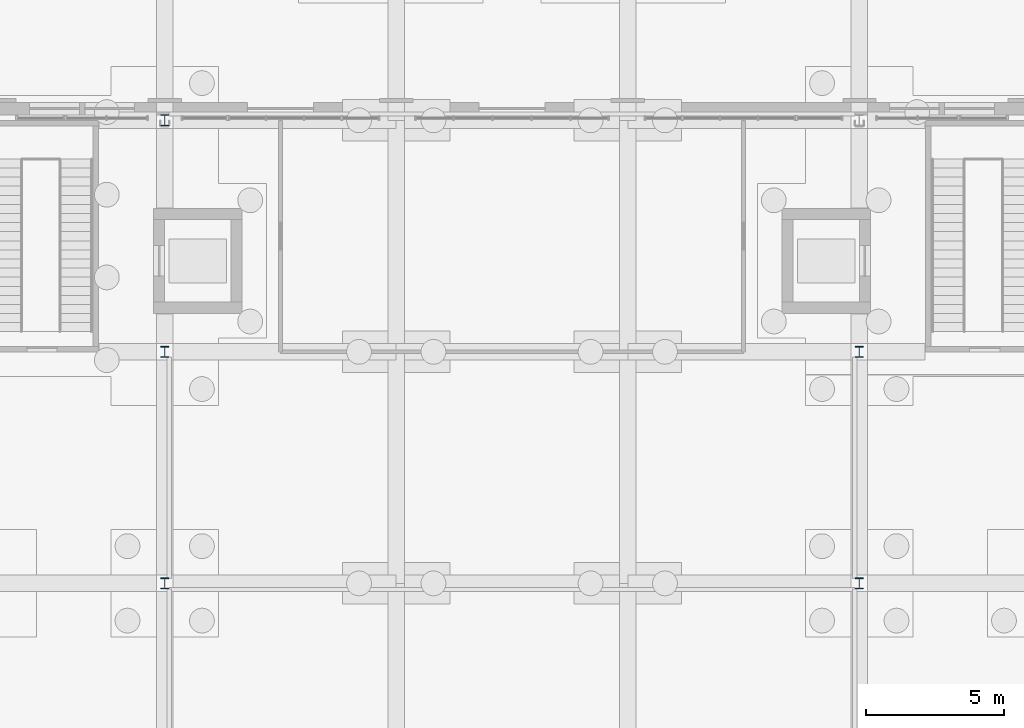
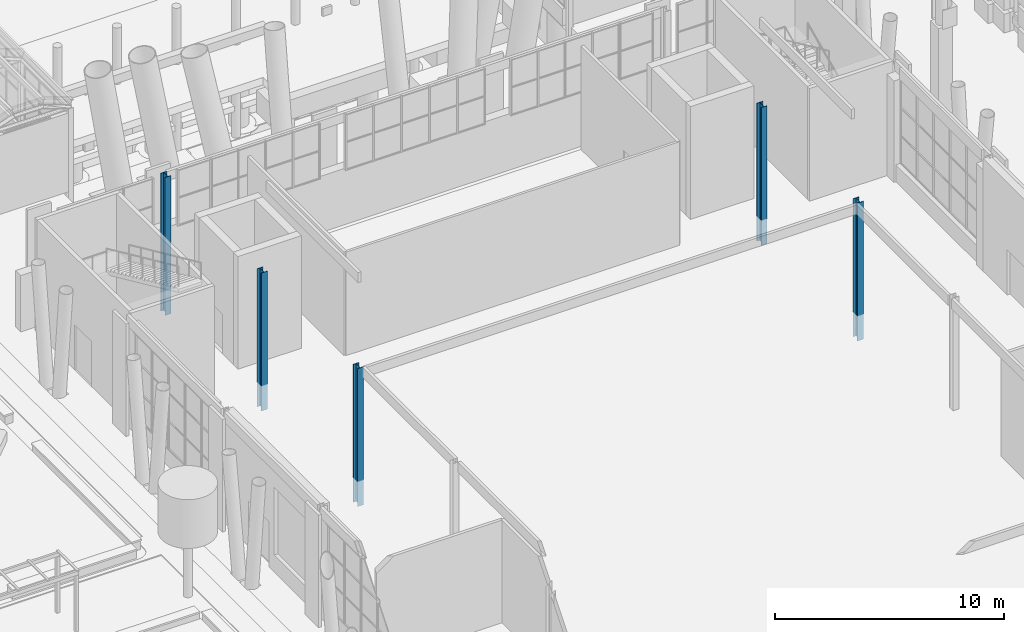
# One storey, part 22 of 222: 5 columns.
"""IFC4 building model written with IfcOpenShell, lengths in metres."""

import ifcopenshell
import ifcopenshell.guid

model = None  # the IFC model being written
_history = None  # IfcOwnerHistory: only IFC2X3 demands one
_inside = {}  # id of a spatial element -> (the spatial element, [elements in it])
_under = {}  # id of a project, library or spatial element -> (it, [spatial elements below it])
_declared = {}  # id of a project -> (the project, [libraries it declares])
_typed = {}  # id of a type object -> (the type object, [elements of that type])
_made_of = {}  # id of a material, layer set ... -> (it, [elements and type objects made of it])


def new_model(schema):
    """Start an empty IFC model of exactly this schema.

    Asked for "IFC4X3", IfcOpenShell would pick the latest addendum, in which some entities
    have other attributes; the version numbers below select the first issue.
    IFC2X3 requires an IfcOwnerHistory on every rooted entity: one is made here for all.
    """
    global model, _history
    if schema == "IFC4X3":
        model = ifcopenshell.file(schema_version=(4, 3, 0, 0))
    else:
        model = ifcopenshell.file(schema=schema)
    _inside.clear()
    _under.clear()
    _declared.clear()
    _typed.clear()
    _made_of.clear()
    _history = None
    if model.schema == "IFC2X3":
        org = make("IfcOrganization", Name="unknown")
        user = make(
            "IfcPersonAndOrganization",
            ThePerson=make("IfcPerson", FamilyName="unknown"),
            TheOrganization=org,
        )
        app = make(
            "IfcApplication",
            ApplicationDeveloper=org,
            Version="unknown",
            ApplicationFullName="unknown",
            ApplicationIdentifier="unknown",
        )
        _history = make(
            "IfcOwnerHistory",
            OwningUser=user,
            OwningApplication=app,
            ChangeAction="ADDED",
            CreationDate=0,
        )
    return model


def make(cls, **values):
    """One entity of the class cls with the attributes given. An attribute that is None is left unset."""
    return model.create_entity(
        cls, **{name: value for name, value in values.items() if value is not None}
    )


def rooted(cls, **values):
    """An entity with a GlobalId (a new one), such as an element, a storey or a relation."""
    return make(cls, GlobalId=ifcopenshell.guid.new(), OwnerHistory=_history, **values)


def si_unit(unit_type, name, prefix=None):
    """IfcSIUnit, for example si_unit("LENGTHUNIT", "METRE", prefix="MILLI")."""
    return make("IfcSIUnit", UnitType=unit_type, Prefix=prefix, Name=name)


def assignment(units):
    """IfcUnitAssignment: the units of a project."""
    return None if units is None else make("IfcUnitAssignment", Units=units)


def point(xyz):
    """IfcCartesianPoint."""
    return None if xyz is None else make("IfcCartesianPoint", Coordinates=xyz)


def direction(xyz):
    """IfcDirection."""
    return None if xyz is None else make("IfcDirection", DirectionRatios=xyz)


def frame(location, z_axis=None, x_axis=None):
    """IfcAxis2Placement3D, a coordinate frame: its origin and axes. An axis left out is left unset."""
    return make(
        "IfcAxis2Placement3D",
        Location=point(location),
        Axis=direction(z_axis),
        RefDirection=direction(x_axis),
    )


def frame_2d(location, x_axis=None):
    """IfcAxis2Placement2D, a coordinate frame in the plane: its origin and x axis."""
    return make(
        "IfcAxis2Placement2D", Location=point(location), RefDirection=direction(x_axis)
    )


def origin():
    """The frame at (0, 0, 0) with its axes left unset."""
    return frame((0.0, 0.0, 0.0))


def origin_2d():
    """The frame at (0, 0) in the plane with its x axis left unset."""
    return frame_2d((0.0, 0.0))


def place(relative_to, where):
    """IfcLocalPlacement: puts the frame where relative to a parent placement (None: the world)."""
    return make(
        "IfcLocalPlacement", PlacementRelTo=relative_to, RelativePlacement=where
    )


def context(
    kind, dimensions, precision=None, world=None, true_north=None, identifier=None
):
    """IfcGeometricRepresentationContext, for example the 3D "Model" context."""
    return make(
        "IfcGeometricRepresentationContext",
        ContextIdentifier=identifier,
        ContextType=kind,
        CoordinateSpaceDimension=dimensions,
        Precision=precision,
        WorldCoordinateSystem=world,
        TrueNorth=true_north,
    )


def subcontext(parent, identifier, kind, view, scale=None):
    """IfcGeometricRepresentationSubContext, for example "Body" below "Model"."""
    return make(
        "IfcGeometricRepresentationSubContext",
        ContextIdentifier=identifier,
        ContextType=kind,
        ParentContext=parent,
        TargetScale=scale,
        TargetView=view,
    )


def project(units=None, contexts=None):
    """IfcProject with its units and contexts."""
    return rooted(
        "IfcProject",
        Name="project",
        RepresentationContexts=contexts,
        UnitsInContext=assignment(units),
    )


def spatial(cls, under=None, at=None, **own):
    """A site, building, storey or space (cls), placed at a placement, below another one or the project."""
    s = rooted(cls, ObjectPlacement=at, **own)
    if under is not None:
        _under.setdefault(under.id(), (under, []))[1].append(s)
    return s


def profile(cls, at=None, kind="AREA", **sizes):
    """A parametric profile (cls). Its sizes go by their IFC names, for example OverallWidth=200.0."""
    return make(cls, ProfileType=kind, Position=at, **sizes)


def i_section(**sizes):
    """IfcIShapeProfileDef."""
    return profile("IfcIShapeProfileDef", **sizes)


def extrude(swept, where, along, depth):
    """IfcExtrudedAreaSolid: the profile swept, set in the frame where, extruded along a direction by depth."""
    return make(
        "IfcExtrudedAreaSolid",
        SweptArea=swept,
        Position=where,
        ExtrudedDirection=direction(along),
        Depth=depth,
    )


def shape(context_of_items, identifier, shape_type, items):
    """IfcShapeRepresentation: the items that make up one representation, for example the "Body"."""
    return make(
        "IfcShapeRepresentation",
        ContextOfItems=context_of_items,
        RepresentationIdentifier=identifier,
        RepresentationType=shape_type,
        Items=items,
    )


def material(Name=None, Category=None):
    """IfcMaterial."""
    return make("IfcMaterial", Name=Name, Category=Category)


def material_profile(
    of_material, cross_section, Name=None, Category=None, Priority=None
):
    """IfcMaterialProfile: a cross section and its material."""
    return make(
        "IfcMaterialProfile",
        Name=Name,
        Material=of_material,
        Profile=cross_section,
        Priority=Priority,
        Category=Category,
    )


def profile_set(profiles, Name=None, composite=None):
    """IfcMaterialProfileSet."""
    return make(
        "IfcMaterialProfileSet",
        Name=Name,
        MaterialProfiles=profiles,
        CompositeProfile=composite,
    )


def made_of(thing, what):
    """Note that an element or type object is made of a material, layer set ...; save() writes the relation."""
    if what is not None:
        _made_of.setdefault(what.id(), (what, []))[1].append(thing)
    return thing


def type_object(cls, material=None, **own):
    """A type object (cls), such as IfcWallType, which elements share."""
    return made_of(rooted(cls, **own), material)


def element(
    cls,
    number,
    at=None,
    inside=None,
    cuts=None,
    type_object=None,
    material=None,
    context=None,
    identifier="Body",
    shape_type=None,
    held_by="IfcProductDefinitionShape",
    body=None,
    shapes=None,
    **own,
):
    """One element of the class cls, such as IfcWall. Its Tag is "e" and its number.

    at: its placement. inside: the storey or other place that contains it. cuts: it is an
    opening in that element (IfcRelVoidsElement). A single representation is given by context,
    identifier, shape_type and body (its items); several are given by shapes. held_by: the class
    of the entity that holds the representations. save() writes the other relations.
    """
    e = rooted(cls, Tag="e%d" % number, ObjectPlacement=at, **own)
    if body is not None:
        shapes = [shape(context, identifier, shape_type, body)]
    if shapes is not None:
        e.Representation = make(held_by, Representations=shapes)
    if inside is not None:
        _inside.setdefault(inside.id(), (inside, []))[1].append(e)
    if cuts is not None:
        rooted(
            "IfcRelVoidsElement", RelatingBuildingElement=cuts, RelatedOpeningElement=e
        )
    if type_object is not None:
        _typed.setdefault(type_object.id(), (type_object, []))[1].append(e)
    return made_of(e, material)


def aggregate(whole, parts):
    """IfcRelAggregates: a whole, such as a stair, and the parts it consists of."""
    return rooted("IfcRelAggregates", RelatingObject=whole, RelatedObjects=parts)


def save(model, path):
    """Write the relations noted so far, then the file.

    IfcRelAggregates (storeys below a building ...), IfcRelContainedInSpatialStructure (elements
    in a storey), IfcRelDefinesByType, IfcRelAssociatesMaterial and IfcRelDeclares: one each for
    every whole, place, type object, material and project.
    """
    for whole, parts in _under.values():
        aggregate(whole, parts)
    for where, things in _inside.values():
        rooted(
            "IfcRelContainedInSpatialStructure",
            RelatedElements=things,
            RelatingStructure=where,
        )
    for kind, things in _typed.values():
        rooted("IfcRelDefinesByType", RelatedObjects=things, RelatingType=kind)
    for what, things in _made_of.values():
        rooted("IfcRelAssociatesMaterial", RelatedObjects=things, RelatingMaterial=what)
    for by, libraries in _declared.values():
        rooted("IfcRelDeclares", RelatingContext=by, RelatedDefinitions=libraries)
    model.write(path)


model = new_model("IFC4")

# Units and contexts
model_context = context("Model", 3, precision=1e-05, world=origin(), true_north=direction((0.0, 1.0)))
body_context = subcontext(model_context, "Body", "Model", "MODEL_VIEW")
ifc_project = project(units=[si_unit("LENGTHUNIT", "METRE"), si_unit("AREAUNIT", "SQUARE_METRE"), si_unit("VOLUMEUNIT", "CUBIC_METRE"), si_unit("PLANEANGLEUNIT", "RADIAN"), si_unit("MASSUNIT", "GRAM", prefix="KILO")], contexts=[model_context])

# Site, building, storey
site_placement = place(None, origin())
site = spatial("IfcSite", under=ifc_project, at=site_placement, CompositionType="ELEMENT")
building_placement = place(site_placement, origin())
building = spatial("IfcBuilding", under=site, at=building_placement, Name="Sava Quay Ferry Terminal", CompositionType="ELEMENT")
storey_placement = place(building_placement, origin())
storey = spatial("IfcBuildingStorey", under=building, at=storey_placement, Name="L00", CompositionType="ELEMENT", Elevation=0.0)

# Columns
ifc_material = material(Name="Steel S355", Category="steel")
ifc_material_profile = material_profile(ifc_material, i_section(OverallWidth=0.300048828125, OverallDepth=0.39990234375, WebThickness=0.013427734375, FlangeThickness=0.02392578125, at=origin_2d()), Name="HE 400 B")
ifc_profile_set = profile_set([ifc_material_profile], Name="Steel S355")
column_type = type_object("IfcColumnType", Name="Column HE 400 B", PredefinedType="COLUMN", material=ifc_profile_set)
for number, where, z_axis, x_axis, name in (
    (1, (50.39990234375, 84.0, -1.35009765625), (0.0, 0.0, 1.0), (1.0, 0.0, 0.0), "Column L00 50.4/84"),
    (2, (50.39990234375, 92.39990234375, -1.35009765625), (0.0, 0.0, 1.0), (1.0, 0.0, 0.0), "Column L00 50.4/92.4"),
    (3, (50.39990234375, 100.800048828125, -1.35009765625), (0.0, 0.0, 1.0), (1.0, 0.0, 0.0), "Column L00 50.4/100.8"),
    (4, (75.60009765625, 84.0, -1.35009765625), (0.0, 0.0, 1.0), (1.0, 0.0, 0.0), "Column L00 75.6/84"),
    (5, (75.60009765625, 92.39990234375, -1.35009765625), (0.0, 0.0, 1.0), (1.0, 0.0, 0.0), "Column L00 75.6/92.4"),
):
    element("IfcColumn", number, at=place(storey_placement, frame(where, z_axis=z_axis, x_axis=x_axis)), inside=storey, type_object=column_type, Name=name, PredefinedType="COLUMN", context=body_context, shape_type="SweptSolid", body=[
        extrude(i_section(OverallWidth=0.300048828125, OverallDepth=0.39990234375, WebThickness=0.013427734375, FlangeThickness=0.02392578125, at=origin_2d()), origin(), (0.0, 0.0, 1.0), 7.35009765625),
    ])

save(model, "model.ifc")
